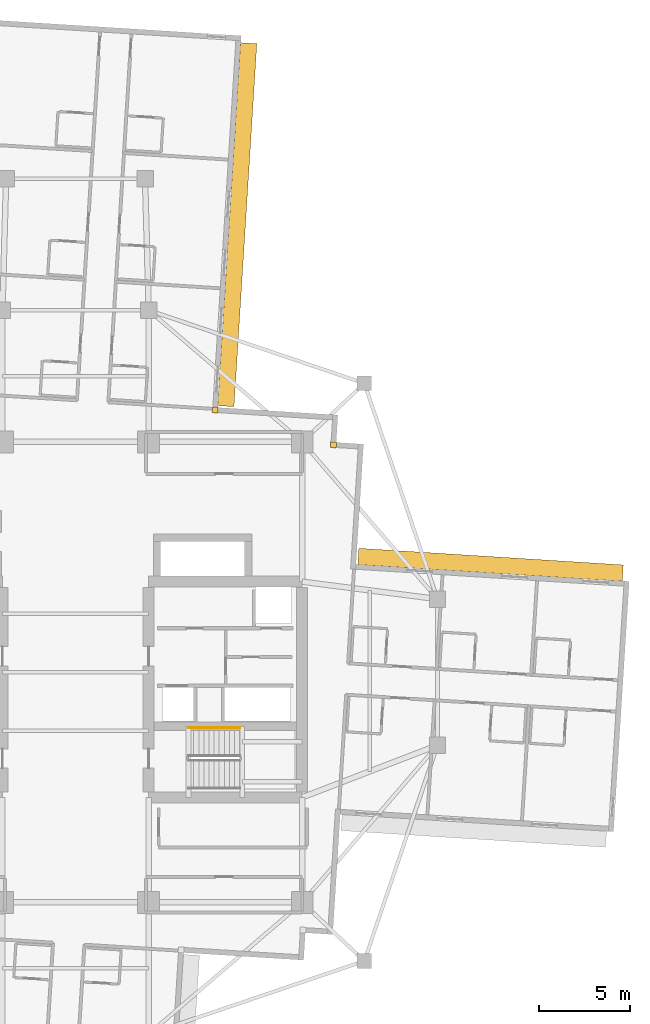
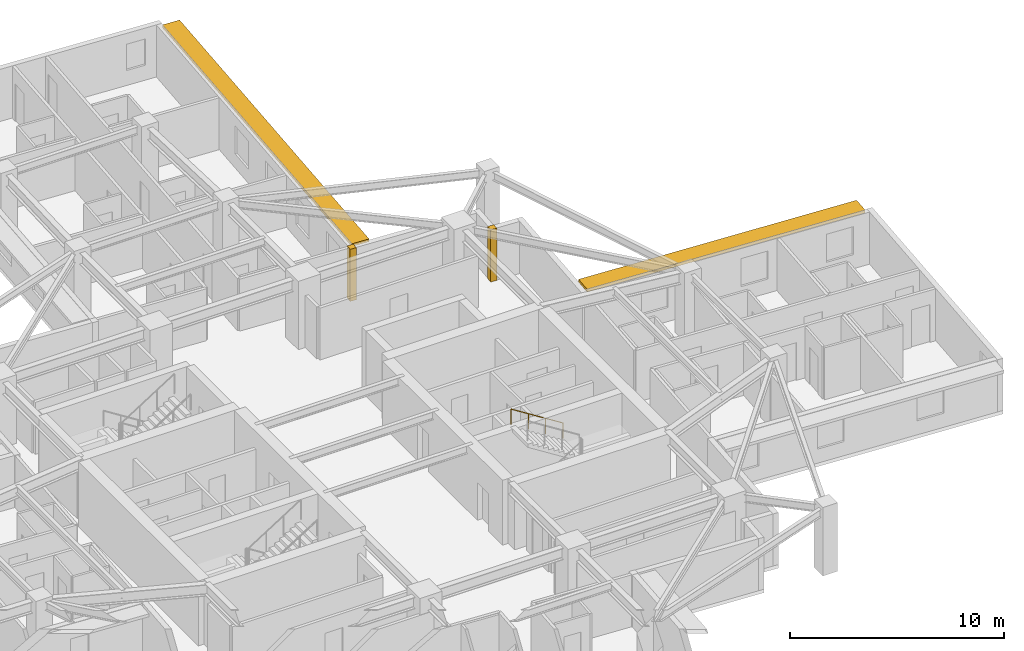
# One storey, part 14 of 14: 2 coverings, 2 shading devices, 1 railing.
"""IFC4 building model written with IfcOpenShell, lengths in metres."""

from ifc_helpers import new_model, si_unit, direction, frame, origin, origin_2d, place, context, subcontext, project, spatial, rectangle, circle, extrude, material, layer, layer_set, type_object, element, save


model = new_model("IFC4")

# Units and contexts
model_context = context("Model", 3, precision=1e-05, world=origin(), true_north=direction((0.0, 1.0)))
body_context = subcontext(model_context, "Body", "Model", "MODEL_VIEW")
ifc_project = project(units=[si_unit("LENGTHUNIT", "METRE"), si_unit("AREAUNIT", "SQUARE_METRE"), si_unit("VOLUMEUNIT", "CUBIC_METRE"), si_unit("PLANEANGLEUNIT", "RADIAN"), si_unit("MASSUNIT", "GRAM", prefix="KILO")], contexts=[model_context])

# Site, building, storey
site_placement = place(None, origin())
site = spatial("IfcSite", under=ifc_project, at=site_placement, CompositionType="ELEMENT")
building_placement = place(site_placement, origin())
building = spatial("IfcBuilding", under=site, at=building_placement, Name="Qingluan Cross Belvedere", CompositionType="ELEMENT")
storey_placement = place(building_placement, frame((0.0, 0.0, 160.5)))
storey = spatial("IfcBuildingStorey", under=building, at=storey_placement, Name="L40", CompositionType="ELEMENT", Elevation=160.5)

# Coverings
ifc_material_1 = material(Name="Precast concrete C45", Category="concrete")
ifc_layer_1 = layer(ifc_material_1, 0.1201171875, Name="ConcreteSpandrelCladding_120")
ifc_layer_set_1 = layer_set([ifc_layer_1], Name="Precast concrete C45")
covering_type = type_object("IfcCoveringType", Name="ConcreteSpandrelCladding_120", PredefinedType="CLADDING", material=ifc_layer_set_1)
for number, where, z_axis, x_axis, name in (
    (1, (14.10888671875, 12.438720703125, 0.0), (0.0, 0.0, 1.0), (0.998026728428, -0.062790519529, 0.0), "Corner closure L40-NE1"),
    (2, (7.635986328125, 14.348876953125, 0.0), (0.0, 0.0, 1.0), (0.998026728428, -0.062790519529, 0.0), "Corner closure L40-NE2"),
):
    element("IfcCovering", number, at=place(storey_placement, frame(where, z_axis=z_axis, x_axis=x_axis)), inside=storey, type_object=covering_type, Name=name, PredefinedType="CLADDING", context=body_context, shape_type="SweptSolid", body=[
        extrude(rectangle(XDim=0.320068359375, YDim=0.320068359375, at=origin_2d()), origin(), (0.0, 0.0, 1.0), 2.969970703125),
    ])

# Shading devices
ifc_material_2 = material(Name="Precast concrete C45", Category="concrete")
ifc_layer_2 = layer(ifc_material_2, 0.159912109375, Name="ConcreteSunshadeBand_900")
ifc_layer_set_2 = layer_set([ifc_layer_2], Name="Precast concrete C45")
shading_device_type = type_object("IfcShadingDeviceType", Name="ConcreteSunshadeBand_900", PredefinedType="USERDEFINED", material=ifc_layer_set_2)
shading_device_1_placement = place(storey_placement, frame((22.703857421875, 5.8759765625, 2.7900390625), z_axis=(0.0, 0.0, 1.0), x_axis=(-0.998026818306, 0.062789090939, 0.0)))
element("IfcShadingDevice", 3, at=shading_device_1_placement, inside=storey, type_object=shading_device_type, Name="Concrete SUNSHADE L40-EB", ObjectType="SUNSHADE", PredefinedType="USERDEFINED", context=body_context, shape_type="SweptSolid", body=[
    extrude(rectangle(XDim=14.5, YDim=0.89990234375, at=origin_2d()), origin(), (0.0, 0.0, 1.0), 0.159912109375),
])
shading_device_2_placement = place(storey_placement, frame((8.8447265625, 24.48291015625, 2.7900390625), z_axis=(0.0, 0.0, 1.0), x_axis=(0.062791158819, 0.998026688207, 0.0)))
element("IfcShadingDevice", 4, at=shading_device_2_placement, inside=storey, type_object=shading_device_type, Name="Concrete SUNSHADE L40-NA", ObjectType="SUNSHADE", PredefinedType="USERDEFINED", context=body_context, shape_type="SweptSolid", body=[
    extrude(rectangle(XDim=19.89990234375, YDim=0.89990234375, at=origin_2d()), origin(), (0.0, 0.0, 1.0), 0.159912109375),
])

# Railing
ifc_material_3 = material(Name="Brushed stainless steel tubular handrail", Category="steel")
railing_type = type_object("IfcRailingType", Name="StairPitchHandrail_900", PredefinedType="HANDRAIL", material=ifc_material_3)
railing_placement = place(storey_placement, frame((8.97998046875, -3.050048828125, 2.127197265625)))
element("IfcRailing", 5, at=railing_placement, inside=storey, type_object=railing_type, Name="L40 ST2 stair handrail 2", PredefinedType="HANDRAIL", context=body_context, shape_type="SweptSolid", body=[
    extrude(circle(Radius=0.02392578125, at=origin_2d()), frame((0.0, 0.0, 0.8759765625), z_axis=(-0.844908973607, 0.0, 0.534910110503), x_axis=(0.0, -1.0, 0.0)), (0.0, 0.0, 1.0), 3.31396484375),
    extrude(circle(Radius=0.02099609375, at=origin_2d()), origin(), (0.0, 0.0, 1.0), 0.851806640625),
    extrude(circle(Radius=0.02099609375, at=origin_2d()), frame((-0.933349609375, 0.0, 0.5908203125)), (0.0, 0.0, 1.0), 0.851806640625),
    extrude(circle(Radius=0.02099609375, at=origin_2d()), frame((-1.86669921875, 0.0, 1.181884765625)), (0.0, 0.0, 1.0), 0.851806640625),
    extrude(circle(Radius=0.02099609375, at=origin_2d()), frame((-2.800048828125, 0.0, 1.772705078125)), (0.0, 0.0, 1.0), 0.851806640625),
])

save(model, "model.ifc")
